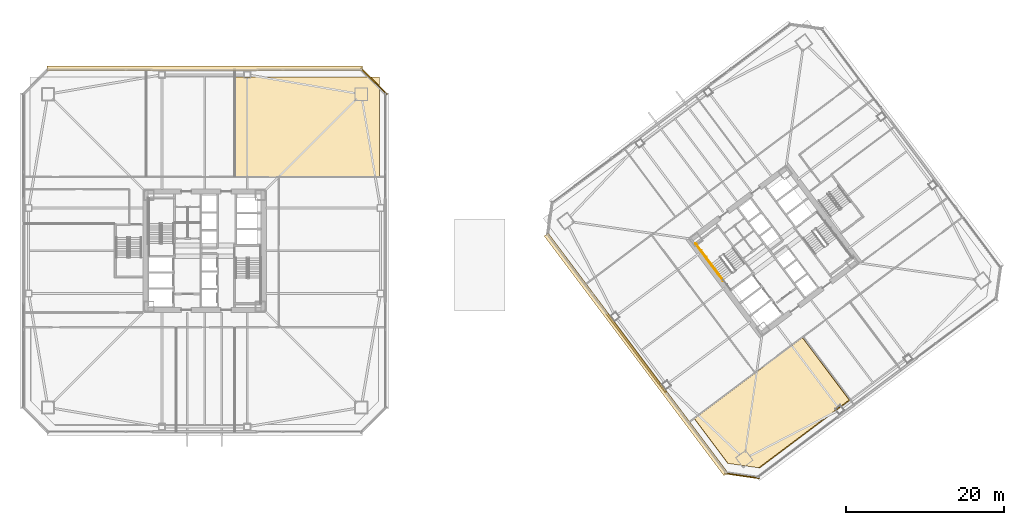
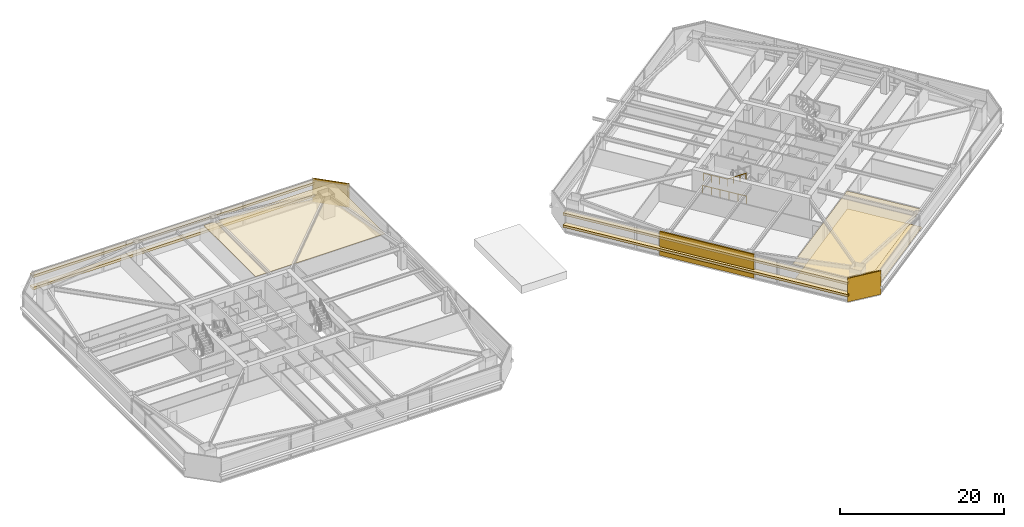
# One storey, part 43 of 46: 10 coverings, 3 railings.
"""IFC4 building model written with IfcOpenShell, lengths in metres."""

from ifc_helpers import new_model, si_unit, direction, frame, origin, origin_2d, place, context, subcontext, project, spatial, polyline, rectangle, outline, extrude, material, layer, layer_set, type_object, element, save


model = new_model("IFC4")

# Units and contexts
model_context = context("Model", 3, precision=1e-05, world=origin(), true_north=direction((0.0, 1.0)))
body_context = subcontext(model_context, "Body", "Model", "MODEL_VIEW")
ifc_project = project(units=[si_unit("LENGTHUNIT", "METRE"), si_unit("AREAUNIT", "SQUARE_METRE"), si_unit("VOLUMEUNIT", "CUBIC_METRE"), si_unit("PLANEANGLEUNIT", "RADIAN"), si_unit("MASSUNIT", "GRAM", prefix="KILO")], contexts=[model_context])

# Site, building, storey
site_placement = place(None, origin())
site = spatial("IfcSite", under=ifc_project, at=site_placement, CompositionType="ELEMENT")
building_placement = place(site_placement, origin())
building = spatial("IfcBuilding", under=site, at=building_placement, Name="Tashvorn Skyway Center", CompositionType="ELEMENT")
storey_placement = place(building_placement, frame((0.0, 0.0, 31.699951171875)))
storey = spatial("IfcBuildingStorey", under=building, at=storey_placement, Name="L07", CompositionType="ELEMENT", Elevation=31.699951171875)

# Coverings
ifc_material_1 = material(Name="Precast concrete C40/50", Category="concrete")
ifc_layer_1 = layer(ifc_material_1, 0.199951171875)
ifc_layer_set_1 = layer_set([ifc_layer_1], Name="Precast concrete C40/50")
covering_type_1 = type_object("IfcCoveringType", Name="COV-BRACE-CLAD", PredefinedType="CLADDING", material=ifc_layer_set_1)
covering_1_placement = place(storey_placement, frame((96.656005859375, 18.991943359375, 0.0), z_axis=(0.0, 0.0, 1.0), x_axis=(-0.600000004945, 0.799999996291, 0.0)))
element("IfcCovering", 1, at=covering_1_placement, inside=storey, type_object=covering_type_1, Name="Tower 2 L07 West Unitised Curtain Wall Mega-Brace Cladding Band 1", PredefinedType="CLADDING", context=body_context, shape_type="SweptSolid", body=[
    extrude(rectangle(XDim=12.586669921875, YDim=0.199951171875, at=origin_2d()), origin(), (0.0, 0.0, 1.0), 3.550048828125),
])
ifc_material_2 = material(Name="Mineral-fibre acoustic ceiling tile on suspended grid")
ifc_layer_2 = layer(ifc_material_2, 0.02001953125)
ifc_layer_set_2 = layer_set([ifc_layer_2], Name="Mineral-fibre acoustic ceiling tile on suspended grid")
covering_type_2 = type_object("IfcCoveringType", Name="COV-CEIL-20", PredefinedType="CEILING", material=ifc_layer_set_2)
covering_2_placement = place(storey_placement, frame((0.0, 0.0, 2.68310546875)))
element("IfcCovering", 2, at=covering_2_placement, inside=storey, type_object=covering_type_2, Name="Tower 1 L07 Catering Pantry Acoustic Ceiling", PredefinedType="CEILING", context=body_context, shape_type="SweptSolid", body=[
    extrude(outline(polyline([(45.800048828125, 41.35009765625), (64.10009765625, 41.35009765625), (64.10009765625, 54.0), (45.800048828125, 54.0), (45.800048828125, 41.35009765625)])), origin(), (0.0, 0.0, 1.0), 0.02001953125),
])
covering_3_placement = place(storey_placement, frame((0.0, 0.0, 2.68310546875)))
element("IfcCovering", 3, at=covering_3_placement, inside=storey, type_object=covering_type_2, Name="Tower 2 L07 Open Plan Office Acoustic Ceiling", PredefinedType="CEILING", context=body_context, shape_type="SweptSolid", body=[
    extrude(outline(polyline([(103.93994140625, 10.780029296875), (117.587890625, 21.01611328125), (123.491943359375, 13.14404296875), (112.052001953125, 4.56396484375), (108.18798828125, 5.115966796875), (103.93994140625, 10.780029296875)])), origin(), (0.0, 0.0, 1.0), 0.02001953125),
])
ifc_material_3 = material(Name="Polished Mojave desert-aggregate terrazzo and cover plate")
ifc_layer_3 = layer(ifc_material_3, 0.0400390625)
ifc_layer_set_3 = layer_set([ifc_layer_3], Name="Polished Mojave desert-aggregate terrazzo and cover plate")
covering_type_3 = type_object("IfcCoveringType", Name="COV-FLR-40", PredefinedType="FLOORING", material=ifc_layer_set_3)
covering_4_placement = place(storey_placement, origin())
element("IfcCovering", 4, at=covering_4_placement, inside=storey, type_object=covering_type_3, Name="Tower 2 L07 Open Plan Office Finish Flooring", PredefinedType="FLOORING", context=body_context, shape_type="SweptSolid", body=[
    extrude(outline(polyline([(112.219970703125, 4.5400390625), (108.132080078125, 5.1240234375), (103.931884765625, 10.72412109375), (117.64404296875, 21.008056640625), (123.595947265625, 13.072021484375), (112.219970703125, 4.5400390625)])), origin(), (0.0, 0.0, 1.0), 0.0400390625),
])
ifc_material_4 = material(Name="Perforated ceramic-coated bronze aluminium solar screen", Category="aluminium")
ifc_layer_4 = layer(ifc_material_4, 0.85009765625)
ifc_layer_set_4 = layer_set([ifc_layer_4], Name="Perforated ceramic-coated bronze aluminium solar screen")
covering_type_4 = type_object("IfcCoveringType", Name="COV-SOLAR-BAND", PredefinedType="CLADDING", material=ifc_layer_set_4)
for number, where, z_axis, x_axis, name in (
    (5, (42.0, 55.02001953125, 0.919921875), (0.0, 0.0, 1.0), (1.0, 0.0, 0.0), "L07 Perforated Ceramic-Metal Solar Screen Louvre Band North 1"),
    (6, (42.0, 55.02001953125, 2.72021484375), (0.0, 0.0, 1.0), (1.0, 0.0, 0.0), "L07 Perforated Ceramic-Metal Solar Screen Louvre Band North 2"),
):
    element("IfcCovering", number, at=place(storey_placement, frame(where, z_axis=z_axis, x_axis=x_axis)), inside=storey, type_object=covering_type_4, Name=name, PredefinedType="CLADDING", context=body_context, shape_type="SweptSolid", body=[
        extrude(rectangle(XDim=39.8798828125, YDim=0.639892578125, at=origin_2d()), origin(), (0.0, 0.0, 1.0), 0.360107421875),
    ])
for number, where, z_axis, x_axis, name in (
    (7, (96.5439453125, 18.907958984375, 0.919921875), (0.0, 0.0, 1.0), (-0.600000004945, 0.799999996291, 0.0), "L07 Perforated Ceramic-Metal Solar Screen Louvre Band West 1"),
    (8, (96.5439453125, 18.907958984375, 2.72021484375), (0.0, 0.0, 1.0), (-0.600000004945, 0.799999996291, 0.0), "L07 Perforated Ceramic-Metal Solar Screen Louvre Band West 2"),
):
    element("IfcCovering", number, at=place(storey_placement, frame(where, z_axis=z_axis, x_axis=x_axis)), inside=storey, type_object=covering_type_4, Name=name, PredefinedType="CLADDING", context=body_context, shape_type="SweptSolid", body=[
        extrude(rectangle(XDim=37.8798828125, YDim=0.639892578125, at=origin_2d()), origin(), (0.0, 0.0, 1.0), 0.360107421875),
    ])
ifc_layer_5 = layer(ifc_material_1, 0.35009765625)
ifc_layer_set_5 = layer_set([ifc_layer_5], Name="Precast concrete C40/50")
covering_type_5 = type_object("IfcCoveringType", Name="COV-STONE-TRIM", PredefinedType="CLADDING", material=ifc_layer_set_5)
covering_5_placement = place(storey_placement, frame((63.419921875, 53.419921875, 0.02001953125), z_axis=(0.0, 0.0, 1.0), x_axis=(0.707106781187, -0.707106781187, 0.0)))
element("IfcCovering", 9, at=covering_5_placement, inside=storey, type_object=covering_type_5, Name="Tower 1 L07 NE Mojave Limestone Corner Quoin", PredefinedType="CLADDING", context=body_context, shape_type="SweptSolid", body=[
    extrude(rectangle(XDim=4.685546875, YDim=0.139892578125, at=origin_2d()), origin(), (0.0, 0.0, 1.0), 3.510009765625),
])
covering_6_placement = place(storey_placement, frame((109.93603515625, 3.552001953125, 0.02001953125), z_axis=(0.0, 0.0, 1.0), x_axis=(-0.989949494535, 0.141421350118, 0.0)))
element("IfcCovering", 10, at=covering_6_placement, inside=storey, type_object=covering_type_5, Name="Tower 2 L07 SW Mojave Limestone Corner Quoin", PredefinedType="CLADDING", context=body_context, shape_type="SweptSolid", body=[
    extrude(rectangle(XDim=4.402587890625, YDim=0.139892578125, at=origin_2d()), origin(), (0.0, 0.0, 1.0), 3.510009765625),
])

# Railings
ifc_material_5 = material(Name="Brushed stainless steel 316", Category="steel")
railing_type_1 = type_object("IfcRailingType", Name="RAIL-HAND-920", PredefinedType="HANDRAIL", material=ifc_material_5)
railing_1_placement = place(storey_placement, frame((106.072021484375, 30.35400390625, 1.95263671875)))
element("IfcRailing", 11, at=railing_1_placement, inside=storey, type_object=railing_type_1, Name="L07 ST-T2-1 stair handrail 2", PredefinedType="HANDRAIL", context=body_context, shape_type="SweptSolid", body=[
    extrude(rectangle(XDim=0.048095703125, YDim=0.048095703125, at=origin_2d()), frame((0.0, 0.0, 0.8759765625), z_axis=(0.506740800098, -0.675708949977, 0.535379469569), x_axis=(0.800023250257, 0.599968998406, 0.0)), (0.0, 0.0, 1.0), 2.983642578125),
    extrude(rectangle(XDim=0.0419921875, YDim=0.0419921875, at=origin_2d()), origin(), (0.0, 0.0, 1.0), 0.851806640625),
    extrude(rectangle(XDim=0.0419921875, YDim=0.0419921875, at=origin_2d()), frame((0.50390625, -0.672119140625, 0.532470703125)), (0.0, 0.0, 1.0), 0.851806640625),
    extrude(rectangle(XDim=0.0419921875, YDim=0.0419921875, at=origin_2d()), frame((1.008056640625, -1.343994140625, 1.06494140625)), (0.0, 0.0, 1.0), 0.851806640625),
    extrude(rectangle(XDim=0.0419921875, YDim=0.0419921875, at=origin_2d()), frame((1.511962890625, -2.01611328125, 1.597412109375)), (0.0, 0.0, 1.0), 0.851806640625),
])
ifc_material_6 = material(Name="Painted galvanized steel S355", Category="steel")
railing_type_2 = type_object("IfcRailingType", Name="RAIL-STGUARD-1100", PredefinedType="GUARDRAIL", material=ifc_material_6)
railing_2_placement = place(storey_placement, frame((106.072021484375, 30.35400390625, 1.775146484375)))
element("IfcRailing", 12, at=railing_2_placement, inside=storey, type_object=railing_type_2, Name="L07 ST-T2-1 stair guard 3", PredefinedType="GUARDRAIL", context=body_context, shape_type="SweptSolid", body=[
    extrude(rectangle(XDim=0.048095703125, YDim=0.048095703125, at=origin_2d()), frame((0.0, 0.0, 1.076171875), z_axis=(-0.599987638607, 0.800009270896, 0.0), x_axis=(-0.800009270896, -0.599987638607, 0.0)), (0.0, 0.0, 1.0), 3.16015625),
    extrude(rectangle(XDim=0.0419921875, YDim=0.0419921875, at=origin_2d()), origin(), (0.0, 0.0, 1.0), 1.052001953125),
    extrude(rectangle(XDim=0.0419921875, YDim=0.0419921875, at=origin_2d()), frame((-0.632080078125, 0.8427734375, 0.0)), (0.0, 0.0, 1.0), 1.052001953125),
    extrude(rectangle(XDim=0.0419921875, YDim=0.0419921875, at=origin_2d()), frame((-1.263916015625, 1.685302734375, 0.0)), (0.0, 0.0, 1.0), 1.052001953125),
    extrude(rectangle(XDim=0.0419921875, YDim=0.0419921875, at=origin_2d()), frame((-1.89599609375, 2.528076171875, 0.0)), (0.0, 0.0, 1.0), 1.052001953125),
])
railing_3_placement = place(storey_placement, frame((107.56396484375, 28.197998046875, 0.0)))
element("IfcRailing", 13, at=railing_3_placement, inside=storey, type_object=railing_type_2, Name="L07 ST-T2-1 stair guard 7", PredefinedType="GUARDRAIL", context=body_context, shape_type="SweptSolid", body=[
    extrude(rectangle(XDim=0.048095703125, YDim=0.048095703125, at=origin_2d()), frame((0.0, 0.0, 1.076171875), z_axis=(-0.6, 0.8, 0.0), x_axis=(-0.8, -0.6, 0.0)), (0.0, 0.0, 1.0), 5.880126953125),
    extrude(rectangle(XDim=0.0419921875, YDim=0.0419921875, at=origin_2d()), origin(), (0.0, 0.0, 1.0), 1.052001953125),
    extrude(rectangle(XDim=0.0419921875, YDim=0.0419921875, at=origin_2d()), frame((-0.70556640625, 0.94091796875, 0.0)), (0.0, 0.0, 1.0), 1.052001953125),
    extrude(rectangle(XDim=0.0419921875, YDim=0.0419921875, at=origin_2d()), frame((-1.4111328125, 1.881591796875, 0.0)), (0.0, 0.0, 1.0), 1.052001953125),
    extrude(rectangle(XDim=0.0419921875, YDim=0.0419921875, at=origin_2d()), frame((-2.116943359375, 2.822509765625, 0.0)), (0.0, 0.0, 1.0), 1.052001953125),
    extrude(rectangle(XDim=0.0419921875, YDim=0.0419921875, at=origin_2d()), frame((-2.822509765625, 3.76318359375, 0.0)), (0.0, 0.0, 1.0), 1.052001953125),
    extrude(rectangle(XDim=0.0419921875, YDim=0.0419921875, at=origin_2d()), frame((-3.528076171875, 4.7041015625, 0.0)), (0.0, 0.0, 1.0), 1.052001953125),
])

save(model, "model.ifc")
